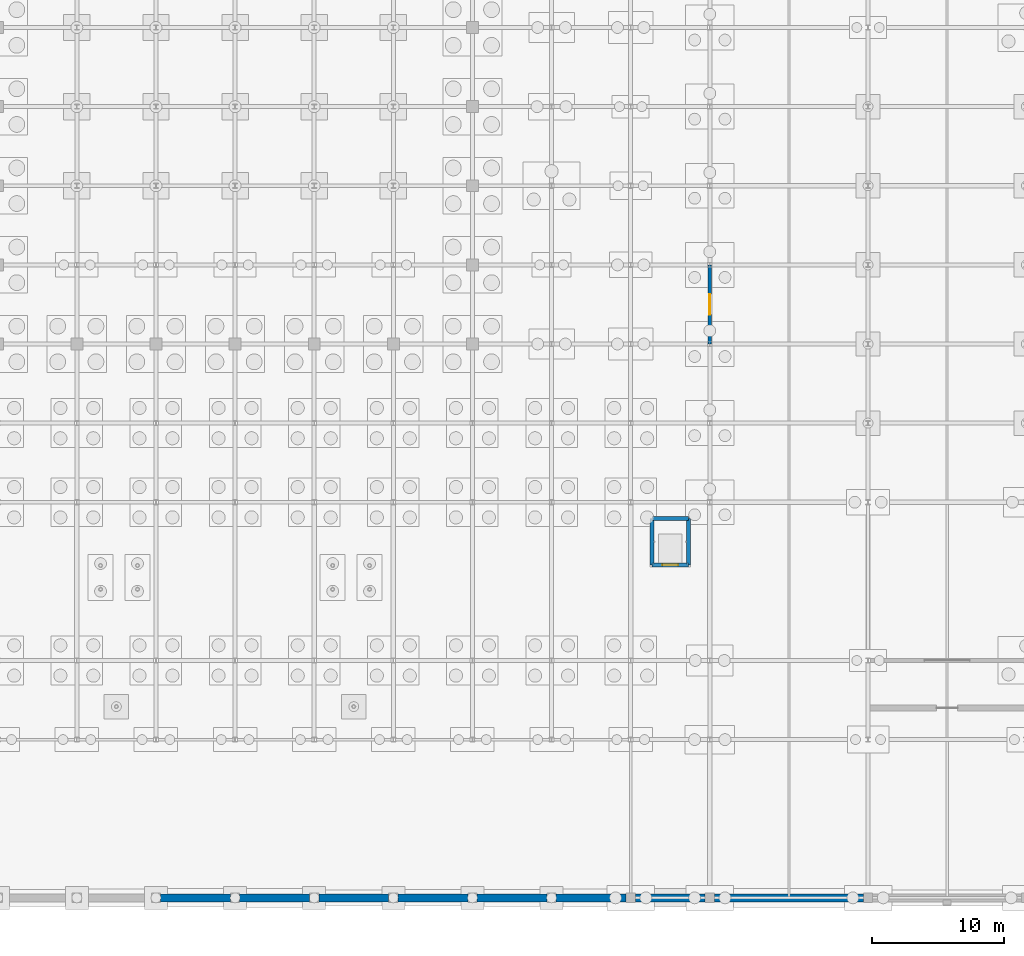
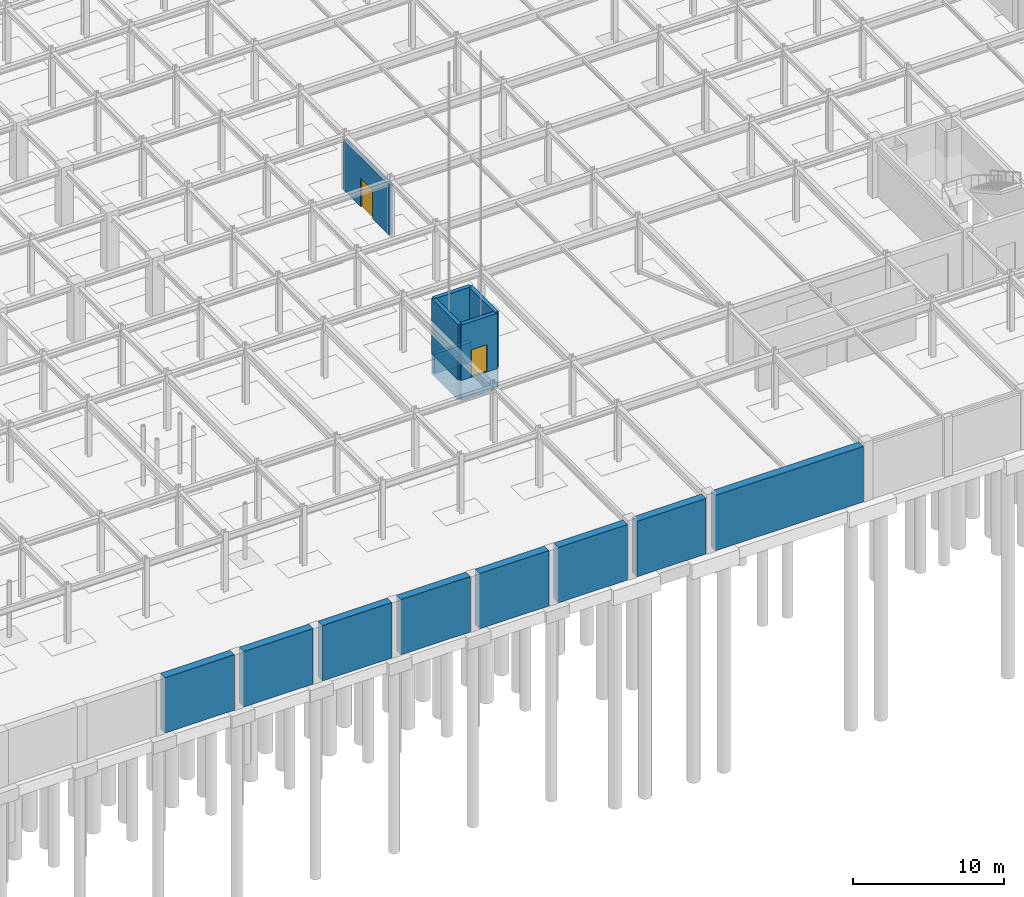
# One storey, part 45 of 69: 17 walls, 2 doors, 2 openings.
"""IFC4 building model written with IfcOpenShell, lengths in metres."""

from ifc_helpers import new_model, si_unit, direction, frame, frame_2d, origin, place, context, subcontext, project, spatial, rectangle, extrude, material, layer, layer_set, type_object, element, fill, save


model = new_model("IFC4")

# Units and contexts
model_context = context("Model", 3, precision=1e-05, world=origin(), true_north=direction((0.0, 1.0)))
body_context = subcontext(model_context, "Body", "Model", "MODEL_VIEW")
ifc_project = project(units=[si_unit("LENGTHUNIT", "METRE"), si_unit("AREAUNIT", "SQUARE_METRE"), si_unit("VOLUMEUNIT", "CUBIC_METRE"), si_unit("PLANEANGLEUNIT", "RADIAN"), si_unit("MASSUNIT", "GRAM", prefix="KILO")], contexts=[model_context])

# Site, building, storey
site_placement = place(None, origin())
site = spatial("IfcSite", under=ifc_project, at=site_placement, CompositionType="ELEMENT")
building_placement = place(site_placement, origin())
building = spatial("IfcBuilding", under=site, at=building_placement, Name="Zlatovratsky Civic Hall", CompositionType="ELEMENT")
storey_placement = place(building_placement, frame((0.0, 0.0, -4.800048828125)))
storey = spatial("IfcBuildingStorey", under=building, at=storey_placement, Name="B1", CompositionType="ELEMENT", Elevation=-4.800048828125)

# Wall, opening, door
ifc_material_1 = material(Name="Acoustic ceramic blockwork", Category="masonry")
ifc_layer_1 = layer(ifc_material_1, 0.260009765625)
ifc_layer_set_1 = layer_set([ifc_layer_1], Name="Acoustic ceramic blockwork")
wall_type_1 = type_object("IfcWallType", Name="Wall_ArchiveCompartment_260", PredefinedType="PARTITIONING", material=ifc_layer_set_1)
wall_1_placement = place(storey_placement, frame((120.0, 42.0, 0.0), z_axis=(0.0, 0.0, 1.0), x_axis=(0.0, 1.0, 0.0)))
wall_1 = element("IfcWall", 1, at=wall_1_placement, inside=storey, type_object=wall_type_1, Name="WL-6047", PredefinedType="PARTITIONING", context=body_context, shape_type="SweptSolid", body=[
    extrude(rectangle(XDim=6.0, YDim=0.260009765625, at=frame_2d((3.0, 0.0))), origin(), (0.0, 0.0, 1.0), 4.0400390625),
])
opening_1_placement = place(wall_1_placement, frame((2.22509765625, 0.0, 0.0)))
opening_1 = element("IfcOpeningElement", 2, at=opening_1_placement, cuts=wall_1, Name="Opening D-15", PredefinedType="OPENING", context=body_context, shape_type="SweptSolid", body=[
    extrude(rectangle(XDim=1.550048828125, YDim=2.300048828125, at=frame_2d((0.77490234375, 1.14990234375))), frame((0.0, 0.14501953125, 0.0), z_axis=(0.0, -1.0, 0.0), x_axis=(1.0, 0.0, 0.0)), (0.0, 0.0, 1.0), 0.289794921875),
])
ifc_material_2 = material(Name="Insulated painted fire-rated steel leaf", Category="steel")
door_type_1 = type_object("IfcDoorType", Name="Door_CompactArchiveFire_1550x2300", OperationType="DOUBLE_DOOR_SINGLE_SWING", PredefinedType="DOOR", material=ifc_material_2)
door_1_placement = place(opening_1_placement, origin())
door_1 = element("IfcDoor", 3, at=door_1_placement, inside=storey, type_object=door_type_1, Name="DR-5216", OperationType="DOUBLE_DOOR_SINGLE_SWING", OverallHeight=2.300048828125, OverallWidth=1.550048828125, PredefinedType="DOOR", context=body_context, shape_type="SweptSolid", body=[
    extrude(rectangle(XDim=1.550048828125, YDim=2.300048828125, at=frame_2d((0.77490234375, 1.14990234375))), frame((0.0, 0.02490234375, 0.0), z_axis=(0.0, -1.0, 0.0), x_axis=(1.0, 0.0, 0.0)), (0.0, 0.0, 1.0), 0.050048828125),
])
fill(opening_1, door_1)

# Walls
ifc_material_3 = material(Name="Concrete C35/45 (B40)", Category="concrete")
ifc_layer_2 = layer(ifc_material_3, 0.300048828125)
ifc_layer_set_2 = layer_set([ifc_layer_2], Name="Concrete C35/45 (B40)")
wall_type_2 = type_object("IfcWallType", Name="Wall_StairAndLiftShaft_300", PredefinedType="SHEAR", material=ifc_layer_set_2)
for number, where, z_axis, x_axis, name in (
    (4, (115.60009765625, 25.25, -1.599853515625), (0.0, 0.0, 1.0), (1.0, 0.0, 0.0), "WL-5489"),
    (5, (115.60009765625, 28.75, -1.599853515625), (0.0, 0.0, 1.0), (1.0, 0.0, 0.0), "WL-5490"),
):
    element("IfcWall", number, at=place(storey_placement, frame(where, z_axis=z_axis, x_axis=x_axis)), inside=storey, type_object=wall_type_2, Name=name, PredefinedType="SHEAR", context=body_context, shape_type="SweptSolid", body=[
        extrude(rectangle(XDim=2.7998046875, YDim=0.300048828125, at=frame_2d((1.39990234375, 0.0))), origin(), (0.0, 0.0, 1.0), 1.599853515625),
    ])
for number, where, z_axis, x_axis, name in (
    (6, (115.60009765625, 25.25, -1.599853515625), (0.0, 0.0, 1.0), (0.0, 1.0, 0.0), "WL-5491"),
    (7, (118.39990234375, 25.25, -1.599853515625), (0.0, 0.0, 1.0), (0.0, 1.0, 0.0), "WL-5492"),
):
    element("IfcWall", number, at=place(storey_placement, frame(where, z_axis=z_axis, x_axis=x_axis)), inside=storey, type_object=wall_type_2, Name=name, PredefinedType="SHEAR", context=body_context, shape_type="SweptSolid", body=[
        extrude(rectangle(XDim=3.5, YDim=0.300048828125, at=frame_2d((1.75, 0.0))), origin(), (0.0, 0.0, 1.0), 1.599853515625),
    ])

# Wall, opening, door
wall_2_placement = place(storey_placement, frame((115.60009765625, 25.25, 0.0), z_axis=(0.0, 0.0, 1.0), x_axis=(1.0, 0.0, 0.0)))
wall_2 = element("IfcWall", 8, at=wall_2_placement, inside=storey, type_object=wall_type_2, Name="WL-5989", PredefinedType="SHEAR", context=body_context, shape_type="SweptSolid", body=[
    extrude(rectangle(XDim=2.7998046875, YDim=0.300048828125, at=frame_2d((1.39990234375, 0.0))), origin(), (0.0, 0.0, 1.0), 4.47998046875),
])
opening_2_placement = place(wall_2_placement, frame((0.800048828125, 0.0, 0.0)))
opening_2 = element("IfcOpeningElement", 9, at=opening_2_placement, cuts=wall_2, Name="Opening LD-04", PredefinedType="OPENING", context=body_context, shape_type="SweptSolid", body=[
    extrude(rectangle(XDim=1.199951171875, YDim=2.199951171875, at=frame_2d((0.60009765625, 1.10009765625))), frame((0.0, 0.1650390625, 0.0), z_axis=(0.0, -1.0, 0.0), x_axis=(1.0, 0.0, 0.0)), (0.0, 0.0, 1.0), 0.329833984375),
])
ifc_material_4 = material(Name="Brushed stainless steel AISI 304", Category="steel")
door_type_2 = type_object("IfcDoorType", Name="Door_LiftLandingShuttle_1200x2200", OperationType="DOUBLE_DOOR_SLIDING", PredefinedType="DOOR", material=ifc_material_4)
door_2_placement = place(opening_2_placement, origin())
door_2 = element("IfcDoor", 10, at=door_2_placement, inside=storey, type_object=door_type_2, Name="Lift landing door LD-5200", OperationType="DOUBLE_DOOR_SLIDING", OverallHeight=2.199951171875, OverallWidth=1.199951171875, PredefinedType="DOOR", context=body_context, shape_type="SweptSolid", body=[
    extrude(rectangle(XDim=1.199951171875, YDim=2.199951171875, at=frame_2d((0.60009765625, 1.10009765625))), frame((0.0, 0.02490234375, 0.0), z_axis=(0.0, -1.0, 0.0), x_axis=(1.0, 0.0, 0.0)), (0.0, 0.0, 1.0), 0.050048828125),
])
fill(opening_2, door_2)

# Walls
wall_3_placement = place(storey_placement, frame((115.60009765625, 28.75, 0.0), z_axis=(0.0, 0.0, 1.0), x_axis=(1.0, 0.0, 0.0)))
element("IfcWall", 11, at=wall_3_placement, inside=storey, type_object=wall_type_2, Name="WL-5990", PredefinedType="SHEAR", context=body_context, shape_type="SweptSolid", body=[
    extrude(rectangle(XDim=2.7998046875, YDim=0.300048828125, at=frame_2d((1.39990234375, 0.0))), origin(), (0.0, 0.0, 1.0), 4.47998046875),
])
for number, where, z_axis, x_axis, name in (
    (12, (115.60009765625, 25.25, 0.0), (0.0, 0.0, 1.0), (0.0, 1.0, 0.0), "WL-5991"),
    (13, (118.39990234375, 25.25, 0.0), (0.0, 0.0, 1.0), (0.0, 1.0, 0.0), "WL-5992"),
):
    element("IfcWall", number, at=place(storey_placement, frame(where, z_axis=z_axis, x_axis=x_axis)), inside=storey, type_object=wall_type_2, Name=name, PredefinedType="SHEAR", context=body_context, shape_type="SweptSolid", body=[
        extrude(rectangle(XDim=3.5, YDim=0.300048828125, at=frame_2d((1.75, 0.0))), origin(), (0.0, 0.0, 1.0), 4.47998046875),
    ])
ifc_layer_3 = layer(ifc_material_3, 0.60009765625)
ifc_layer_set_3 = layer_set([ifc_layer_3], Name="Concrete C35/45 (B40)")
wall_type_3 = type_object("IfcWallType", Name="Wall_SubstructureRetaining_600", PredefinedType="SHEAR", material=ifc_layer_set_3)
for number, where, z_axis, x_axis, name in (
    (14, (78.35009765625, 0.0, 0.0), (0.0, 0.0, 1.0), (1.0, 0.0, 0.0), "WL-0011"),
    (15, (84.35009765625, 0.0, 0.0), (0.0, 0.0, 1.0), (1.0, 0.0, 0.0), "WL-0012"),
    (16, (90.35009765625, 0.0, 0.0), (0.0, 0.0, 1.0), (1.0, 0.0, 0.0), "WL-0013"),
    (17, (96.35009765625, 0.0, 0.0), (0.0, 0.0, 1.0), (1.0, 0.0, 0.0), "WL-0014"),
    (18, (102.35009765625, 0.0, 0.0), (0.0, 0.0, 1.0), (1.0, 0.0, 0.0), "WL-0015"),
    (19, (108.35009765625, 0.0, 0.0), (0.0, 0.0, 1.0), (1.0, 0.0, 0.0), "WL-0016"),
    (20, (114.35009765625, 0.0, 0.0), (0.0, 0.0, 1.0), (1.0, 0.0, 0.0), "WL-0017"),
):
    element("IfcWall", number, at=place(storey_placement, frame(where, z_axis=z_axis, x_axis=x_axis)), inside=storey, type_object=wall_type_3, Name=name, PredefinedType="SHEAR", context=body_context, shape_type="SweptSolid", body=[
        extrude(rectangle(XDim=5.2998046875, YDim=0.60009765625, at=frame_2d((2.64990234375, 0.0))), origin(), (0.0, 0.0, 1.0), 4.47998046875),
    ])
wall_4_placement = place(storey_placement, frame((120.35009765625, 0.0, 0.0), z_axis=(0.0, 0.0, 1.0), x_axis=(1.0, 0.0, 0.0)))
element("IfcWall", 21, at=wall_4_placement, inside=storey, type_object=wall_type_3, Name="WL-0018", PredefinedType="SHEAR", context=body_context, shape_type="SweptSolid", body=[
    extrude(rectangle(XDim=11.2998046875, YDim=0.60009765625, at=frame_2d((5.64990234375, 0.0))), origin(), (0.0, 0.0, 1.0), 4.47998046875),
])

save(model, "model.ifc")
